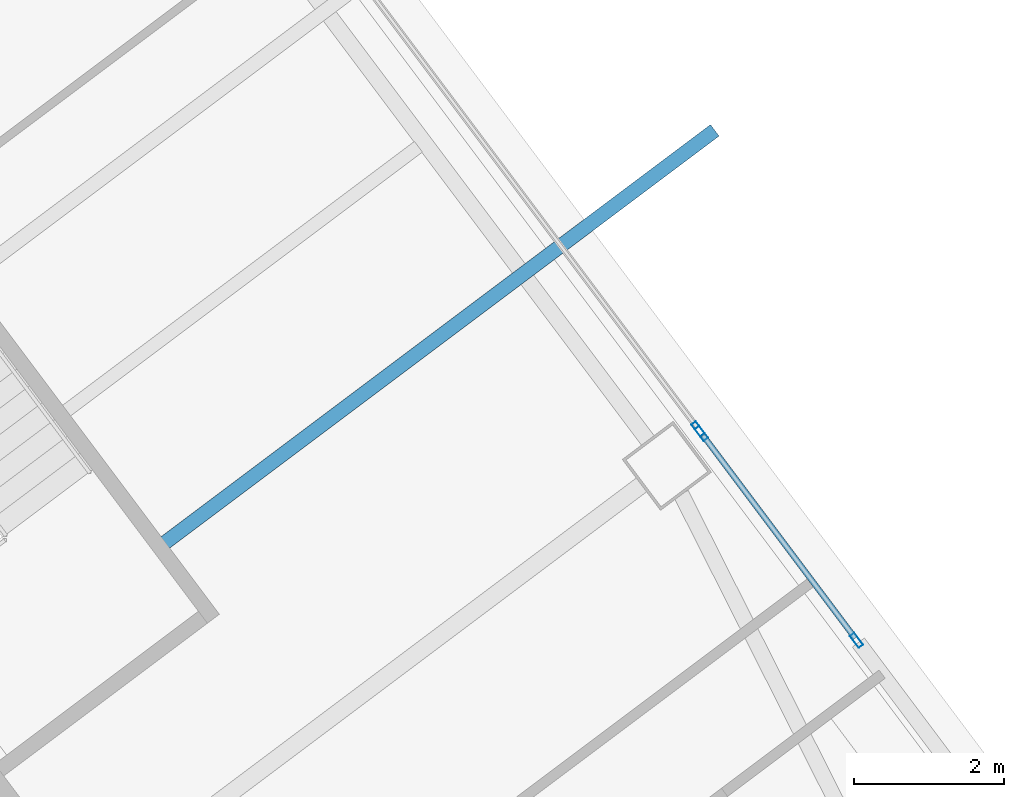
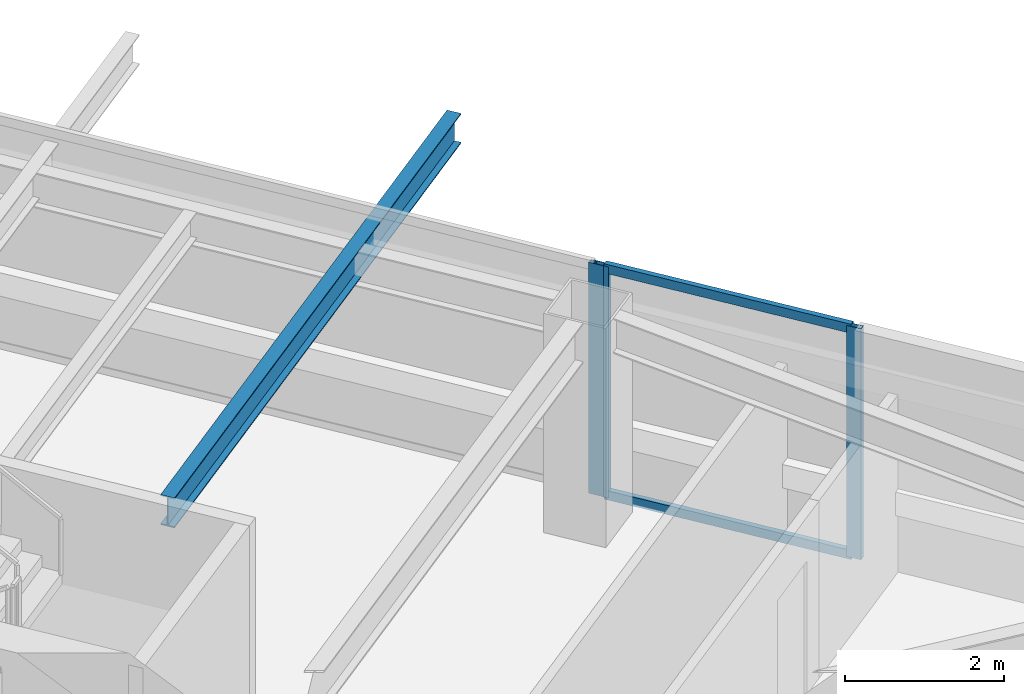
# One storey, part 24 of 40: 5 members, 1 beam, 2 elements without a shape of their own.
"""IFC4 building model written with IfcOpenShell, lengths in metres."""

from ifc_helpers import new_model, si_unit, direction, frame, origin, origin_2d, place, context, subcontext, project, spatial, hollow_rectangle, i_section, extrude, material, material_profile, profile_set, type_object, element, aggregate, save


model = new_model("IFC4")

# Units and contexts
model_context = context("Model", 3, precision=1e-05, world=origin(), true_north=direction((0.0, 1.0)))
body_context = subcontext(model_context, "Body", "Model", "MODEL_VIEW")
ifc_project = project(units=[si_unit("LENGTHUNIT", "METRE"), si_unit("AREAUNIT", "SQUARE_METRE"), si_unit("VOLUMEUNIT", "CUBIC_METRE"), si_unit("PLANEANGLEUNIT", "RADIAN"), si_unit("MASSUNIT", "GRAM", prefix="KILO")], contexts=[model_context])

# Site, building, storey
site_placement = place(None, origin())
site = spatial("IfcSite", under=ifc_project, at=site_placement, CompositionType="ELEMENT")
building_placement = place(site_placement, origin())
building = spatial("IfcBuilding", under=site, at=building_placement, Name="Tashvorn Skyway Center", CompositionType="ELEMENT")
storey_placement = place(building_placement, frame((0.0, 0.0, 142.800048828125)))
storey = spatial("IfcBuildingStorey", under=building, at=storey_placement, Name="L38", CompositionType="ELEMENT", Elevation=142.800048828125)

# Beam
ifc_material_1 = material(Name="Steel ASTM A992 Grade 50", Category="steel")
ifc_material_profile_1 = material_profile(ifc_material_1, i_section(OverallWidth=0.19091796875, OverallDepth=0.4599609375, WebThickness=0.010009765625, FlangeThickness=0.01611328125, at=origin_2d()), Name="W18X55")
ifc_profile_set_1 = profile_set([ifc_material_profile_1], Name="Steel ASTM A992 Grade 50")
beam_type = type_object("IfcBeamType", Name="BM-JOIST-W18X55", PredefinedType="JOIST", material=ifc_profile_set_1)
beam_placement = place(storey_placement, frame((124.656005859375, 37.241943359375, 3.139892578125), z_axis=(0.799996808618, 0.600004255152, 0.0), x_axis=(-0.600004255152, 0.799996808618, 0.0)))
element("IfcBeam", 1, at=beam_placement, inside=storey, type_object=beam_type, Name="Tower 2 L39 Terrace Cantilever Outlooker 1", PredefinedType="JOIST", context=body_context, shape_type="SweptSolid", body=[
    extrude(i_section(OverallWidth=0.19091796875, OverallDepth=0.4599609375, WebThickness=0.010009765625, FlangeThickness=0.01611328125, at=origin_2d()), origin(), (0.0, 0.0, 1.0), 9.179931640625),
])

# Curtain wall, member
ifc_material_2 = material(Name="Thermally broken bronze-anodized aluminium 6063-T6", Category="aluminium")
curtain_wall_type = type_object("IfcCurtainWallType", Name="CW-CW-Z3", PredefinedType="NOTDEFINED", material=ifc_material_2)
curtain_wall_1_placement = place(storey_placement, origin())
curtain_wall_1 = element("IfcCurtainWall", 2, at=curtain_wall_1_placement, inside=storey, type_object=curtain_wall_type, Name="Tower 2 L38 East Unitised Curtain Wall Glazing Group 2", PredefinedType="NOTDEFINED")
ifc_material_profile_2 = material_profile(ifc_material_2, hollow_rectangle(XDim=0.074951171875, YDim=0.199951171875, WallThickness=0.00439453125, at=origin_2d()), Name="ALU-MULL-75x200")
ifc_profile_set_2 = profile_set([ifc_material_profile_2], Name="Thermally broken bronze-anodized aluminium 6063-T6")
member_type_1 = type_object("IfcMemberType", Name="CWM-CW-Z3", PredefinedType="MULLION", material=ifc_profile_set_2)
member_1_placement = place(storey_placement, frame((131.777587890625, 38.76318359375, 0.0), z_axis=(0.0, 0.0, 1.0), x_axis=(0.800002266987, 0.599996977339, 0.0)))
member_1 = element("IfcMember", 3, at=member_1_placement, type_object=member_type_1, Name="CW-Z3 mullion 2", PredefinedType="MULLION", context=body_context, shape_type="SweptSolid", body=[
    extrude(hollow_rectangle(XDim=0.074951171875, YDim=0.199951171875, WallThickness=0.00439453125, at=origin_2d()), origin(), (0.0, 0.0, 1.0), 3.550048828125),
])
aggregate(curtain_wall_1, [member_1])

# Curtain wall, members
curtain_wall_2_placement = place(storey_placement, origin())
curtain_wall_2 = element("IfcCurtainWall", 4, at=curtain_wall_2_placement, inside=storey, type_object=curtain_wall_type, Name="Tower 2 L38 East Unitised Curtain Wall Glazing Group 3", PredefinedType="NOTDEFINED")
member_2_placement = place(storey_placement, frame((131.822509765625, 38.703369140625, 0.0), z_axis=(0.0, 0.0, 1.0), x_axis=(0.800003400519, 0.599995465948, 0.0)))
member_2 = element("IfcMember", 5, at=member_2_placement, type_object=member_type_1, Name="CW-Z3 mullion 1", PredefinedType="MULLION", context=body_context, shape_type="SweptSolid", body=[
    extrude(hollow_rectangle(XDim=0.074951171875, YDim=0.199951171875, WallThickness=0.00439453125, at=origin_2d()), origin(), (0.0, 0.0, 1.0), 3.550048828125),
])
member_3_placement = place(storey_placement, frame((133.894775390625, 35.940185546875, 0.0), z_axis=(0.0, 0.0, 1.0), x_axis=(0.800003400519, 0.599995465948, 0.0)))
member_3 = element("IfcMember", 6, at=member_3_placement, type_object=member_type_1, Name="CW-Z3 mullion 2", PredefinedType="MULLION", context=body_context, shape_type="SweptSolid", body=[
    extrude(hollow_rectangle(XDim=0.074951171875, YDim=0.199951171875, WallThickness=0.00439453125, at=origin_2d()), origin(), (0.0, 0.0, 1.0), 3.550048828125),
])
ifc_material_profile_3 = material_profile(ifc_material_2, hollow_rectangle(XDim=0.074951171875, YDim=0.139892578125, WallThickness=0.004150390625, at=origin_2d()), Name="ALU-TRAN-75x140")
ifc_profile_set_3 = profile_set([ifc_material_profile_3], Name="Thermally broken bronze-anodized aluminium 6063-T6")
member_type_2 = type_object("IfcMemberType", Name="CWT-CW-Z3", PredefinedType="USERDEFINED", material=ifc_profile_set_3)
member_4_placement = place(storey_placement, frame((131.844970703125, 38.67333984375, 0.037353515625), z_axis=(0.6, -0.8, 0.0), x_axis=(0.8, 0.6, 0.0)))
member_4 = element("IfcMember", 7, at=member_4_placement, type_object=member_type_2, Name="CW-Z3 transom 1.1", ObjectType="TRANSOM", PredefinedType="USERDEFINED", context=body_context, shape_type="SweptSolid", body=[
    extrude(hollow_rectangle(XDim=0.074951171875, YDim=0.139892578125, WallThickness=0.004150390625, at=origin_2d()), origin(), (0.0, 0.0, 1.0), 3.37890625),
])
member_5_placement = place(storey_placement, frame((131.844970703125, 38.67333984375, 3.512451171875), z_axis=(0.6, -0.8, 0.0), x_axis=(0.8, 0.6, 0.0)))
member_5 = element("IfcMember", 8, at=member_5_placement, type_object=member_type_2, Name="CW-Z3 transom 1.2", ObjectType="TRANSOM", PredefinedType="USERDEFINED", context=body_context, shape_type="SweptSolid", body=[
    extrude(hollow_rectangle(XDim=0.074951171875, YDim=0.139892578125, WallThickness=0.004150390625, at=origin_2d()), origin(), (0.0, 0.0, 1.0), 3.37890625),
])
aggregate(curtain_wall_2, [member_2, member_3, member_4, member_5])

save(model, "model.ifc")
